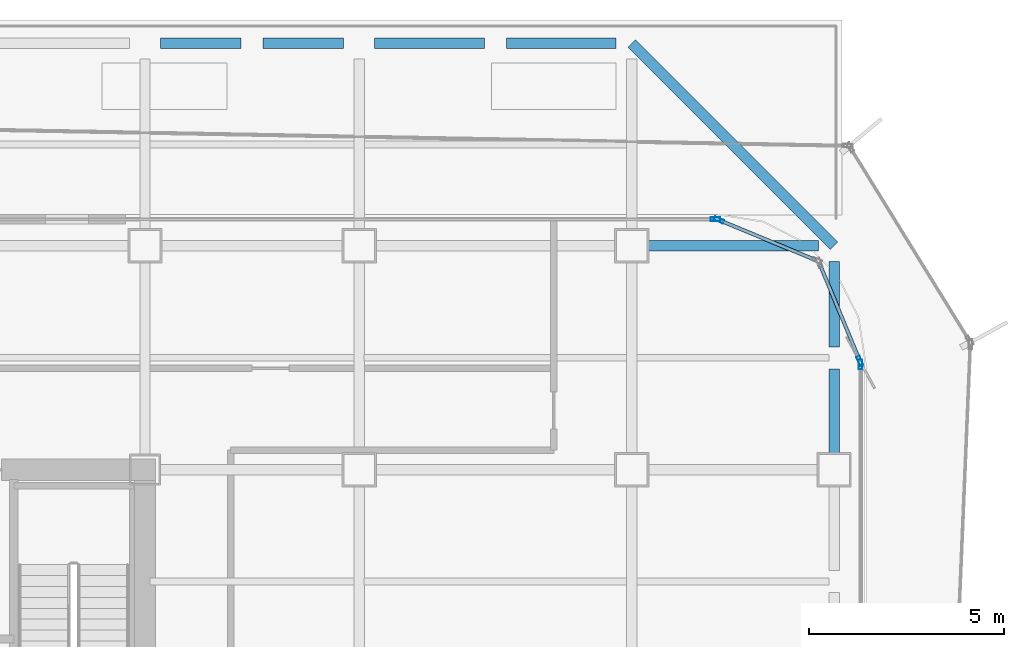
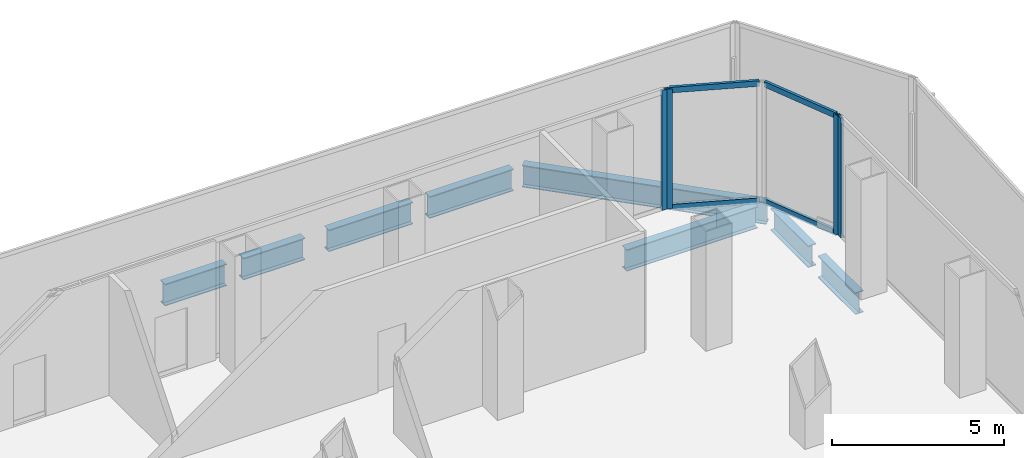
# One storey, part 14 of 21: 8 beams, 8 members, 4 elements without a shape of their own.
"""IFC4 building model written with IfcOpenShell, lengths in metres."""

from ifc_helpers import new_model, si_unit, direction, frame, origin, origin_2d, place, context, subcontext, project, spatial, hollow_rectangle, i_section, extrude, source, transform, mapped, material, layer, layer_set, material_profile, profile_set, type_object, element, aggregate, save


model = new_model("IFC4")

# Units and contexts
model_context = context("Model", 3, precision=1e-05, world=origin(), true_north=direction((0.0, 1.0)))
body_context = subcontext(model_context, "Body", "Model", "MODEL_VIEW")
ifc_project = project(units=[si_unit("LENGTHUNIT", "METRE"), si_unit("AREAUNIT", "SQUARE_METRE"), si_unit("VOLUMEUNIT", "CUBIC_METRE"), si_unit("PLANEANGLEUNIT", "RADIAN"), si_unit("MASSUNIT", "GRAM", prefix="KILO")], contexts=[model_context])

# Site, building, storey
site_placement = place(None, origin())
site = spatial("IfcSite", under=ifc_project, at=site_placement, CompositionType="ELEMENT")
building_placement = place(site_placement, origin())
building = spatial("IfcBuilding", under=site, at=building_placement, Name="Kolveth Station Tower", CompositionType="ELEMENT")
storey_placement = place(building_placement, frame((0.0, 0.0, 88.199951171875)))
storey = spatial("IfcBuildingStorey", under=building, at=storey_placement, Name="L23", CompositionType="ELEMENT", Elevation=88.199951171875)

# Beams
ifc_material_1 = material(Name="Steel S355", Category="steel")
ifc_material_profile_1 = material_profile(ifc_material_1, i_section(OverallWidth=0.26904296875, OverallDepth=0.77490234375, WebThickness=0.01708984375, FlangeThickness=0.0283203125, at=origin_2d()), Name="W760x220")
ifc_profile_set_1 = profile_set([ifc_material_profile_1], Name="Steel S355")
beam_type_1 = type_object("IfcBeamType", Name="Beam_SP1", PredefinedType="SPANDREL", material=ifc_profile_set_1)
shared_shape_1 = source(origin(), body_context, "Body", "SweptSolid", [
    extrude(i_section(OverallWidth=0.26904296875, OverallDepth=0.77490234375, WebThickness=0.01708984375, FlangeThickness=0.0283203125, at=origin_2d()), origin(), (0.0, 0.0, 1.0), 7.353759765625),
])
beam_1_placement = place(storey_placement, frame((46.199951171875, 34.5, -0.74755859375), z_axis=(-0.707106781187, 0.707106781187, 0.0), x_axis=(-0.707106781187, -0.707106781187, 0.0)))
element("IfcBeam", 1, at=beam_1_placement, inside=storey, type_object=beam_type_1, Name="L23 Corner Edge Girder BM-L23-CNR-NE", PredefinedType="SPANDREL", context=body_context, shape_type="MappedRepresentation", body=[
    mapped(shared_shape_1, transform((0.0, 0.0, 0.0), x_axis=(1.0, 0.0, 0.0), y_axis=(0.0, 1.0, 0.0), z_axis=(0.0, 0.0, 1.0), scale=1.0)),
])
shared_shape_2 = source(origin(), body_context, "Body", "SweptSolid", [
    extrude(i_section(OverallWidth=0.26904296875, OverallDepth=0.77490234375, WebThickness=0.01708984375, FlangeThickness=0.0283203125, at=origin_2d()), origin(), (0.0, 0.0, 1.0), 2.820068359375),
])
for number, where, z_axis, x_axis, name in (
    (2, (34.39990234375, 39.699951171875, -0.74755859375), (1.0, 0.0, 0.0), (0.0, 1.0, 0.0), "L23 Perimeter Spandrel BM-L23-PN-9"),
    (3, (37.780029296875, 39.699951171875, -0.74755859375), (1.0, 0.0, 0.0), (0.0, 1.0, 0.0), "L23 Perimeter Spandrel BM-L23-PN-10"),
):
    element("IfcBeam", number, at=place(storey_placement, frame(where, z_axis=z_axis, x_axis=x_axis)), inside=storey, type_object=beam_type_1, Name=name, PredefinedType="SPANDREL", context=body_context, shape_type="MappedRepresentation", body=[
        mapped(shared_shape_2, transform((0.0, 0.0, 0.0), x_axis=(1.0, 0.0, 0.0), y_axis=(0.0, 1.0, 0.0), z_axis=(0.0, 0.0, 1.0), scale=1.0)),
    ])
shared_shape_3 = source(origin(), body_context, "Body", "SweptSolid", [
    extrude(i_section(OverallWidth=0.26904296875, OverallDepth=0.77490234375, WebThickness=0.01708984375, FlangeThickness=0.0283203125, at=origin_2d()), origin(), (0.0, 0.0, 1.0), 2.070068359375),
])
for number, where, z_axis, x_axis, name in (
    (4, (28.89990234375, 39.699951171875, -0.74755859375), (1.0, 0.0, 0.0), (0.0, 1.0, 0.0), "L23 Perimeter Spandrel BM-L23-PN-7"),
    (5, (31.530029296875, 39.699951171875, -0.74755859375), (1.0, 0.0, 0.0), (0.0, 1.0, 0.0), "L23 Perimeter Spandrel BM-L23-PN-8"),
):
    element("IfcBeam", number, at=place(storey_placement, frame(where, z_axis=z_axis, x_axis=x_axis)), inside=storey, type_object=beam_type_1, Name=name, PredefinedType="SPANDREL", context=body_context, shape_type="MappedRepresentation", body=[
        mapped(shared_shape_3, transform((0.0, 0.0, 0.0), x_axis=(1.0, 0.0, 0.0), y_axis=(0.0, 1.0, 0.0), z_axis=(0.0, 0.0, 1.0), scale=1.0)),
    ])
shared_shape_4 = source(origin(), body_context, "Body", "SweptSolid", [
    extrude(i_section(OverallWidth=0.26904296875, OverallDepth=0.77490234375, WebThickness=0.01708984375, FlangeThickness=0.0283203125, at=origin_2d()), origin(), (0.0, 0.0, 1.0), 2.2001953125),
])
beam_2_placement = place(storey_placement, frame((46.199951171875, 31.89990234375, -0.74755859375), z_axis=(0.0, 1.0, 0.0), x_axis=(-1.0, 0.0, 0.0)))
element("IfcBeam", 6, at=beam_2_placement, inside=storey, type_object=beam_type_1, Name="L23 Perimeter Spandrel BM-L23-PE-10", PredefinedType="SPANDREL", context=body_context, shape_type="MappedRepresentation", body=[
    mapped(shared_shape_4, transform((0.0, 0.0, 0.0), x_axis=(1.0, 0.0, 0.0), y_axis=(0.0, 1.0, 0.0), z_axis=(0.0, 0.0, 1.0), scale=1.0)),
])
shared_shape_5 = source(origin(), body_context, "Body", "SweptSolid", [
    extrude(i_section(OverallWidth=0.26904296875, OverallDepth=0.77490234375, WebThickness=0.01708984375, FlangeThickness=0.0283203125, at=origin_2d()), origin(), (0.0, 0.0, 1.0), 2.190185546875),
])
beam_3_placement = place(storey_placement, frame((46.199951171875, 29.14990234375, -0.74755859375), z_axis=(0.0, 1.0, 0.0), x_axis=(-1.0, 0.0, 0.0)))
element("IfcBeam", 7, at=beam_3_placement, inside=storey, type_object=beam_type_1, Name="L23 Perimeter Spandrel BM-L23-PE-9", PredefinedType="SPANDREL", context=body_context, shape_type="MappedRepresentation", body=[
    mapped(shared_shape_5, transform((0.0, 0.0, 0.0), x_axis=(1.0, 0.0, 0.0), y_axis=(0.0, 1.0, 0.0), z_axis=(0.0, 0.0, 1.0), scale=1.0)),
])
ifc_material_profile_2 = material_profile(ifc_material_1, i_section(OverallWidth=0.26708984375, OverallDepth=0.76611328125, WebThickness=0.014892578125, FlangeThickness=0.023681640625, at=origin_2d()), Name="W760x185")
ifc_profile_set_2 = profile_set([ifc_material_profile_2], Name="Steel S355")
beam_type_2 = type_object("IfcBeamType", Name="Beam_B3", PredefinedType="BEAM", material=ifc_profile_set_2)
shared_shape_6 = source(origin(), body_context, "Body", "SweptSolid", [
    extrude(i_section(OverallWidth=0.26708984375, OverallDepth=0.76611328125, WebThickness=0.014892578125, FlangeThickness=0.023681640625, at=origin_2d()), origin(), (0.0, 0.0, 1.0), 4.400146484375),
])
beam_4_placement = place(storey_placement, frame((41.39990234375, 34.5, -0.742919921875), z_axis=(1.0, 0.0, 0.0), x_axis=(0.0, 1.0, 0.0)))
element("IfcBeam", 8, at=beam_4_placement, inside=storey, type_object=beam_type_2, Name="L23 Primary Girder BM-L23-GY345-7", PredefinedType="BEAM", context=body_context, shape_type="MappedRepresentation", body=[
    mapped(shared_shape_6, transform((0.0, 0.0, 0.0), x_axis=(1.0, 0.0, 0.0), y_axis=(0.0, 1.0, 0.0), z_axis=(0.0, 0.0, 1.0), scale=1.0)),
])

# Curtain wall, member
ifc_material_2 = material(Name="Aluminium 6063-T6 and acoustic laminated dark glass", Category="aluminium")
ifc_layer = layer(ifc_material_2, 0.219970703125)
ifc_layer_set = layer_set([ifc_layer], Name="Aluminium 6063-T6 and acoustic laminated dark glass")
curtain_wall_type = type_object("IfcCurtainWallType", Name="CurtainWall_CW-SL", PredefinedType="NOTDEFINED", material=ifc_layer_set)
curtain_wall_1_placement = place(storey_placement, origin())
curtain_wall_1 = element("IfcCurtainWall", 9, at=curtain_wall_1_placement, inside=storey, type_object=curtain_wall_type, Name="L23 Inner Thermal Curtain Wall 3", PredefinedType="NOTDEFINED")
ifc_material_3 = material(Name="Black anodized aluminium 6063-T6", Category="aluminium")
ifc_material_profile_3 = material_profile(ifc_material_3, hollow_rectangle(XDim=0.094970703125, YDim=0.25, WallThickness=0.0048828125, at=origin_2d()), Name="ALU-95x250x5")
ifc_profile_set_3 = profile_set([ifc_material_profile_3], Name="Black anodized aluminium 6063-T6")
member_type_1 = type_object("IfcMemberType", Name="Mullion_ML-SL", PredefinedType="MULLION", material=ifc_profile_set_3)
shared_shape_7 = source(origin(), body_context, "Body", "SweptSolid", [
    extrude(hollow_rectangle(XDim=0.094970703125, YDim=0.25, WallThickness=0.0048828125, at=origin_2d()), origin(), (0.0, 0.0, 1.0), 4.25),
])
member_1_placement = place(storey_placement, frame((46.8798828125, 31.452392578125, 0.0), z_axis=(0.0, 0.0, 1.0), x_axis=(-1.0, 0.0, 0.0)))
member_1 = element("IfcMember", 10, at=member_1_placement, type_object=member_type_1, Name="CW-SL mullion 2", PredefinedType="MULLION", context=body_context, shape_type="MappedRepresentation", body=[
    mapped(shared_shape_7, transform((0.0, 0.0, 0.0), x_axis=(1.0, 0.0, 0.0), y_axis=(0.0, 1.0, 0.0), z_axis=(0.0, 0.0, 1.0), scale=1.0)),
])
aggregate(curtain_wall_1, [member_1])

curtain_wall_2_placement = place(storey_placement, origin())
curtain_wall_2 = element("IfcCurtainWall", 11, at=curtain_wall_2_placement, inside=storey, type_object=curtain_wall_type, Name="L23 Inner Thermal Curtain Wall 4", PredefinedType="NOTDEFINED")
member_2_placement = place(storey_placement, frame((46.86181640625, 31.5439453125, 0.0), z_axis=(0.0, 0.0, 1.0), x_axis=(-0.923887883787, -0.38266326998, 0.0)))
member_2 = element("IfcMember", 12, at=member_2_placement, type_object=member_type_1, Name="CW-SL mullion 1", PredefinedType="MULLION", context=body_context, shape_type="MappedRepresentation", body=[
    mapped(shared_shape_7, transform((0.0, 0.0, 0.0), x_axis=(1.0, 0.0, 0.0), y_axis=(0.0, 1.0, 0.0), z_axis=(0.0, 0.0, 1.0), scale=1.0)),
])

curtain_wall_3_placement = place(storey_placement, origin())
curtain_wall_3 = element("IfcCurtainWall", 13, at=curtain_wall_3_placement, inside=storey, type_object=curtain_wall_type, Name="L23 Inner Thermal Curtain Wall 5", PredefinedType="NOTDEFINED")
member_3_placement = place(storey_placement, frame((43.243896484375, 35.161865234375, 0.0), z_axis=(0.0, 0.0, 1.0), x_axis=(-0.38266326998, -0.923887883787, 0.0)))
member_3 = element("IfcMember", 14, at=member_3_placement, type_object=member_type_1, Name="CW-SL mullion 2", PredefinedType="MULLION", context=body_context, shape_type="MappedRepresentation", body=[
    mapped(shared_shape_7, transform((0.0, 0.0, 0.0), x_axis=(1.0, 0.0, 0.0), y_axis=(0.0, 1.0, 0.0), z_axis=(0.0, 0.0, 1.0), scale=1.0)),
])

curtain_wall_4_placement = place(storey_placement, origin())
curtain_wall_4 = element("IfcCurtainWall", 15, at=curtain_wall_4_placement, inside=storey, type_object=curtain_wall_type, Name="L23 Inner Thermal Curtain Wall 6", PredefinedType="NOTDEFINED")
member_4_placement = place(storey_placement, frame((43.152587890625, 35.179931640625, 0.0), z_axis=(0.0, 0.0, 1.0), x_axis=(0.0, -1.0, 0.0)))
member_4 = element("IfcMember", 16, at=member_4_placement, type_object=member_type_1, Name="CW-SL mullion 1", PredefinedType="MULLION", context=body_context, shape_type="MappedRepresentation", body=[
    mapped(shared_shape_7, transform((0.0, 0.0, 0.0), x_axis=(1.0, 0.0, 0.0), y_axis=(0.0, 1.0, 0.0), z_axis=(0.0, 0.0, 1.0), scale=1.0)),
])
aggregate(curtain_wall_4, [member_4])

# Member
ifc_material_profile_4 = material_profile(ifc_material_3, hollow_rectangle(XDim=0.090087890625, YDim=0.199951171875, WallThickness=0.0048828125, at=origin_2d()), Name="ALU-90x200x5")
ifc_profile_set_4 = profile_set([ifc_material_profile_4], Name="Black anodized aluminium 6063-T6")
member_type_2 = type_object("IfcMemberType", Name="Transom_TR-SL", PredefinedType="USERDEFINED", material=ifc_profile_set_4)
shared_shape_8 = source(origin(), body_context, "Body", "SweptSolid", [
    extrude(hollow_rectangle(XDim=0.090087890625, YDim=0.199951171875, WallThickness=0.0048828125, at=origin_2d()), origin(), (0.0, 0.0, 1.0), 2.62646484375),
])
member_5_placement = place(storey_placement, frame((46.84375, 31.587890625, 0.045166015625), z_axis=(-0.382693858119, 0.923875213954, 0.0), x_axis=(-0.923875213954, -0.382693858119, 0.0)))
member_5 = element("IfcMember", 17, at=member_5_placement, type_object=member_type_2, Name="CW-SL transom 1.1", ObjectType="TRANSOM", PredefinedType="USERDEFINED", context=body_context, shape_type="MappedRepresentation", body=[
    mapped(shared_shape_8, transform((0.0, 0.0, 0.0), x_axis=(1.0, 0.0, 0.0), y_axis=(0.0, 1.0, 0.0), z_axis=(0.0, 0.0, 1.0), scale=1.0)),
])

member_6_placement = place(storey_placement, frame((46.84375, 31.587890625, 4.205078125), z_axis=(-0.382693858119, 0.923875213954, 0.0), x_axis=(-0.923875213954, -0.382693858119, 0.0)))
member_6 = element("IfcMember", 18, at=member_6_placement, type_object=member_type_2, Name="CW-SL transom 1.2", ObjectType="TRANSOM", PredefinedType="USERDEFINED", context=body_context, shape_type="MappedRepresentation", body=[
    mapped(shared_shape_8, transform((0.0, 0.0, 0.0), x_axis=(1.0, 0.0, 0.0), y_axis=(0.0, 1.0, 0.0), z_axis=(0.0, 0.0, 1.0), scale=1.0)),
])

aggregate(curtain_wall_2, [member_2, member_5, member_6])

member_7_placement = place(storey_placement, frame((45.71435546875, 34.138671875, 0.045166015625), z_axis=(-0.923908076852, 0.382614512961, 0.0), x_axis=(-0.382614512961, -0.923908076852, 0.0)))
member_7 = element("IfcMember", 19, at=member_7_placement, type_object=member_type_2, Name="CW-SL transom 1.1", ObjectType="TRANSOM", PredefinedType="USERDEFINED", context=body_context, shape_type="MappedRepresentation", body=[
    mapped(shared_shape_8, transform((0.0, 0.0, 0.0), x_axis=(1.0, 0.0, 0.0), y_axis=(0.0, 1.0, 0.0), z_axis=(0.0, 0.0, 1.0), scale=1.0)),
])

member_8_placement = place(storey_placement, frame((45.71435546875, 34.138671875, 4.205078125), z_axis=(-0.923908076852, 0.382614512961, 0.0), x_axis=(-0.382614512961, -0.923908076852, 0.0)))
member_8 = element("IfcMember", 20, at=member_8_placement, type_object=member_type_2, Name="CW-SL transom 1.2", ObjectType="TRANSOM", PredefinedType="USERDEFINED", context=body_context, shape_type="MappedRepresentation", body=[
    mapped(shared_shape_8, transform((0.0, 0.0, 0.0), x_axis=(1.0, 0.0, 0.0), y_axis=(0.0, 1.0, 0.0), z_axis=(0.0, 0.0, 1.0), scale=1.0)),
])

aggregate(curtain_wall_3, [member_3, member_7, member_8])

save(model, "model.ifc")
